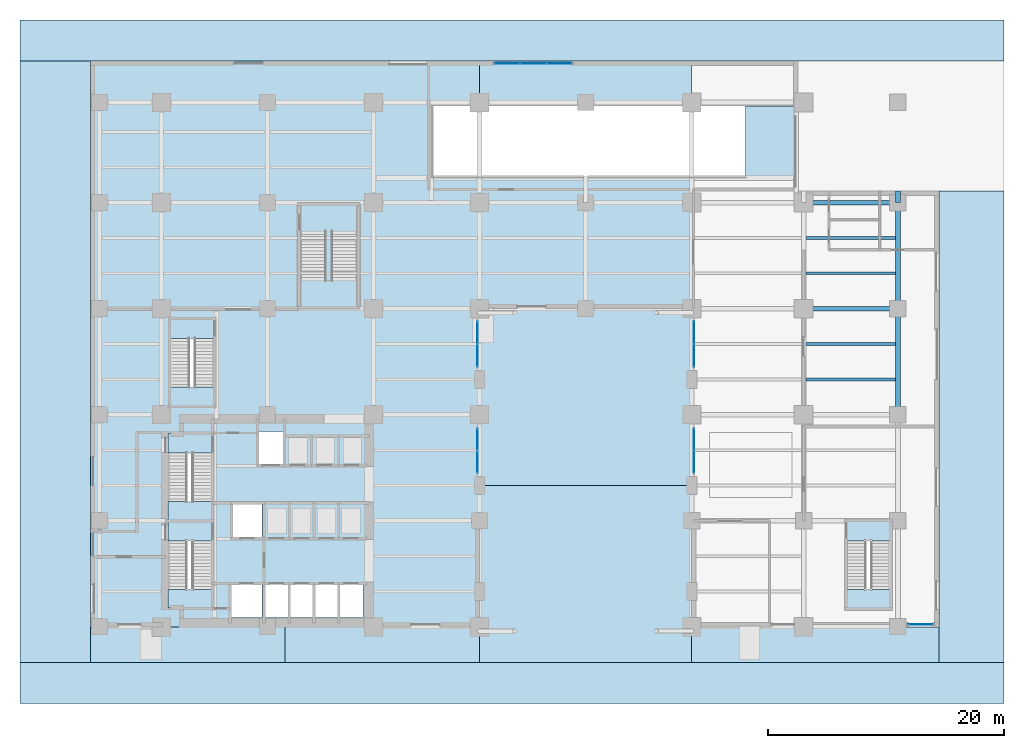
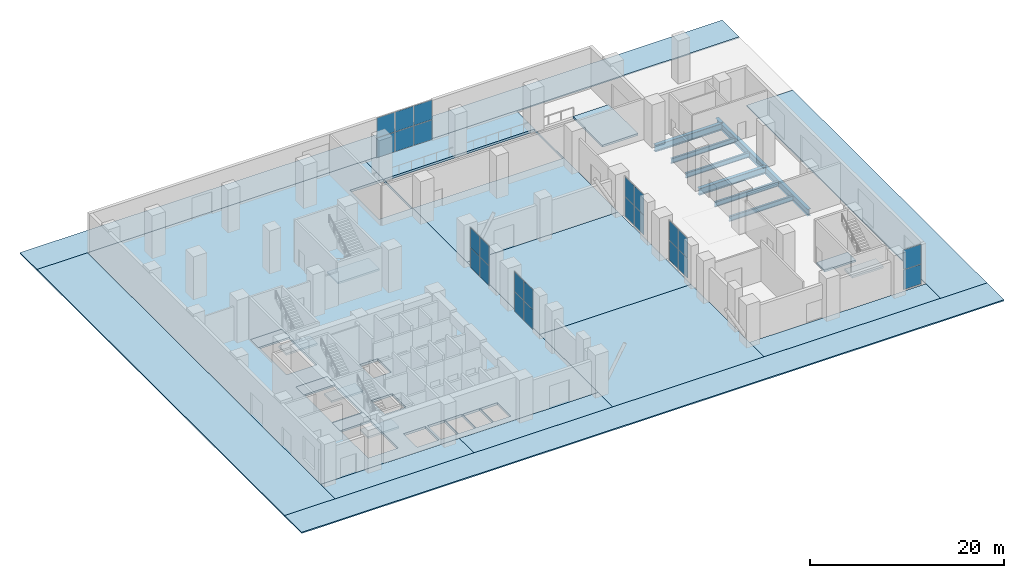
# One storey, part 9 of 17: 24 plates, 21 slabs, 9 beams, 11 elements without a shape of their own.
"""IFC4 building model written with IfcOpenShell, lengths in metres."""

from ifc_helpers import new_model, si_unit, direction, frame, origin, origin_2d, place, context, subcontext, project, spatial, polyline, rectangle, i_section, outline, extrude, material, layer, layer_set, material_profile, profile_set, type_object, element, aggregate, save


model = new_model("IFC4")

# Units and contexts
model_context = context("Model", 3, precision=1e-05, world=origin(), true_north=direction((0.0, 1.0)))
body_context = subcontext(model_context, "Body", "Model", "MODEL_VIEW")
ifc_project = project(units=[si_unit("LENGTHUNIT", "METRE"), si_unit("AREAUNIT", "SQUARE_METRE"), si_unit("VOLUMEUNIT", "CUBIC_METRE"), si_unit("PLANEANGLEUNIT", "RADIAN"), si_unit("MASSUNIT", "GRAM", prefix="KILO")], contexts=[model_context])

# Site, building, storey
site_placement = place(None, origin())
site = spatial("IfcSite", under=ifc_project, at=site_placement, CompositionType="ELEMENT")
building_placement = place(site_placement, origin())
building = spatial("IfcBuilding", under=site, at=building_placement, Name="Mawjdan Bourse Tower", CompositionType="ELEMENT")
storey_placement = place(building_placement, origin())
storey = spatial("IfcBuildingStorey", under=building, at=storey_placement, Name="L00", CompositionType="ELEMENT", Elevation=0.0)

# Beams
ifc_material_1 = material(Name="Structural Steel S355", Category="steel")
ifc_material_profile_1 = material_profile(ifc_material_1, i_section(OverallWidth=0.39892578125, OverallDepth=0.85595703125, WebThickness=0.018310546875, FlangeThickness=0.029296875, FilletRadius=0.0234375, at=origin_2d()), Name="W33X201")
ifc_profile_set_1 = profile_set([ifc_material_profile_1], Name="Structural Steel S355")
beam_type_1 = type_object("IfcBeamType", Name="GRD-W33X201", PredefinedType="BEAM", material=ifc_profile_set_1)
for number, where, z_axis, x_axis, name in (
    (1, (68.5, 21.0, -0.72802734375), (0.0, 1.0, 0.0), (-1.0, 0.0, 0.0), "L00 Podium Primary Girder 041"),
    (2, (68.5, 30.0, -0.72802734375), (0.0, 1.0, 0.0), (-1.0, 0.0, 0.0), "L00 Podium Primary Girder 042"),
):
    element("IfcBeam", number, at=place(storey_placement, frame(where, z_axis=z_axis, x_axis=x_axis)), inside=storey, type_object=beam_type_1, Name=name, PredefinedType="BEAM", context=body_context, shape_type="SweptSolid", body=[
        extrude(i_section(OverallWidth=0.39892578125, OverallDepth=0.85595703125, WebThickness=0.018310546875, FlangeThickness=0.029296875, FilletRadius=0.0234375, at=origin_2d()), origin(), (0.0, 0.0, 1.0), 9.0),
    ])
beam_placement = place(storey_placement, frame((68.5, 39.0, -0.72802734375), z_axis=(0.0, 1.0, 0.0), x_axis=(-1.0, 0.0, 0.0)))
element("IfcBeam", 3, at=beam_placement, inside=storey, type_object=beam_type_1, Name="L00 Podium Primary Girder 043", PredefinedType="BEAM", context=body_context, shape_type="SweptSolid", body=[
    extrude(i_section(OverallWidth=0.39892578125, OverallDepth=0.85595703125, WebThickness=0.018310546875, FlangeThickness=0.029296875, FilletRadius=0.0234375, at=origin_2d()), origin(), (0.0, 0.0, 1.0), 1.0),
])
for number, where, z_axis, x_axis, name in (
    (4, (60.5, 30.0, -0.72802734375), (1.0, 0.0, 0.0), (0.0, 1.0, 0.0), "L00 Podium Tie Girder 063"),
    (5, (60.5, 39.0, -0.72802734375), (1.0, 0.0, 0.0), (0.0, 1.0, 0.0), "L00 Podium Tie Girder 071"),
):
    element("IfcBeam", number, at=place(storey_placement, frame(where, z_axis=z_axis, x_axis=x_axis)), inside=storey, type_object=beam_type_1, Name=name, PredefinedType="BEAM", context=body_context, shape_type="SweptSolid", body=[
        extrude(i_section(OverallWidth=0.39892578125, OverallDepth=0.85595703125, WebThickness=0.018310546875, FlangeThickness=0.029296875, FilletRadius=0.0234375, at=origin_2d()), origin(), (0.0, 0.0, 1.0), 8.0),
    ])
ifc_material_profile_2 = material_profile(ifc_material_1, i_section(OverallWidth=0.22998046875, OverallDepth=0.616943359375, WebThickness=0.01318359375, FlangeThickness=0.022216796875, FilletRadius=0.017822265625, at=origin_2d()), Name="W24X94")
ifc_profile_set_2 = profile_set([ifc_material_profile_2], Name="Structural Steel S355")
beam_type_2 = type_object("IfcBeamType", Name="JST-W24X94", PredefinedType="JOIST", material=ifc_profile_set_2)
for number, where, z_axis, x_axis, name in (
    (6, (60.697509765625, 24.0, -0.6083984375), (1.0, 0.0, 0.0), (0.0, 1.0, 0.0), "L00 Composite Floor Joist 096"),
    (7, (60.697509765625, 27.0, -0.6083984375), (1.0, 0.0, 0.0), (0.0, 1.0, 0.0), "L00 Composite Floor Joist 100"),
    (8, (60.697509765625, 33.0, -0.6083984375), (1.0, 0.0, 0.0), (0.0, 1.0, 0.0), "L00 Composite Floor Joist 108"),
    (9, (60.697509765625, 36.0, -0.6083984375), (1.0, 0.0, 0.0), (0.0, 1.0, 0.0), "L00 Composite Floor Joist 116"),
):
    element("IfcBeam", number, at=place(storey_placement, frame(where, z_axis=z_axis, x_axis=x_axis)), inside=storey, type_object=beam_type_2, Name=name, PredefinedType="JOIST", context=body_context, shape_type="SweptSolid", body=[
        extrude(i_section(OverallWidth=0.22998046875, OverallDepth=0.616943359375, WebThickness=0.01318359375, FlangeThickness=0.022216796875, FilletRadius=0.017822265625, at=origin_2d()), origin(), (0.0, 0.0, 1.0), 7.60498046875),
    ])

# Curtain wall, plates
ifc_material_2 = material(Name="Thermally Broken Aluminium and Solar Glass", Category="aluminium")
ifc_layer_1 = layer(ifc_material_2, 0.219970703125)
ifc_layer_set_1 = layer_set([ifc_layer_1], Name="Thermally Broken Aluminium and Solar Glass")
curtain_wall_type_1 = type_object("IfcCurtainWallType", Name="CW-ARCH", PredefinedType="USERDEFINED", material=ifc_layer_set_1)
curtain_wall_1_placement = place(storey_placement, origin())
curtain_wall_1 = element("IfcCurtainWall", 10, at=curtain_wall_1_placement, inside=storey, type_object=curtain_wall_type_1, Name="L00 Giant Arch West Glazed Wall South", ObjectType="ARCHWAY GLAZED CURTAIN WALL", PredefinedType="USERDEFINED")
ifc_material_3 = material(Name="Low-SHGC Clear Laminated Glass", Category="glass")
ifc_layer_2 = layer(ifc_material_3, 0.0419921875)
ifc_layer_set_2 = layer_set([ifc_layer_2], Name="Low-SHGC Clear Laminated Glass")
plate_type_1 = type_object("IfcPlateType", Name="PNL-CW-ARCH", PredefinedType="CURTAIN_PANEL", material=ifc_layer_set_2)
plate_1_placement = place(storey_placement, frame((32.81005859375, 18.90625, 0.06005859375), z_axis=(0.0, 0.0, 1.0), x_axis=(0.0, -1.0, 0.0)))
plate_1 = element("IfcPlate", 11, at=plate_1_placement, type_object=plate_type_1, Name="CW-ARCH-L00-ARCH-W1 panel 1.1", PredefinedType="CURTAIN_PANEL", context=body_context, shape_type="SweptSolid", body=[
    extrude(rectangle(XDim=1.83740234375, YDim=0.0419921875, at=origin_2d()), origin(), (0.0, 0.0, 1.0), 2.4599609375),
])
plate_2_placement = place(storey_placement, frame((32.81005859375, 18.90625, 2.580078125), z_axis=(0.0, 0.0, 1.0), x_axis=(0.0, -1.0, 0.0)))
plate_2 = element("IfcPlate", 12, at=plate_2_placement, type_object=plate_type_1, Name="CW-ARCH-L00-ARCH-W1 panel 1.2", PredefinedType="CURTAIN_PANEL", context=body_context, shape_type="SweptSolid", body=[
    extrude(rectangle(XDim=1.83740234375, YDim=0.0419921875, at=origin_2d()), origin(), (0.0, 0.0, 1.0), 2.4599609375),
])
plate_3_placement = place(storey_placement, frame((32.81005859375, 16.99365234375, 0.06005859375), z_axis=(0.0, 0.0, 1.0), x_axis=(0.0, -1.0, 0.0)))
plate_3 = element("IfcPlate", 13, at=plate_3_placement, type_object=plate_type_1, Name="CW-ARCH-L00-ARCH-W1 panel 2.1", PredefinedType="CURTAIN_PANEL", context=body_context, shape_type="SweptSolid", body=[
    extrude(rectangle(XDim=1.83740234375, YDim=0.0419921875, at=origin_2d()), origin(), (0.0, 0.0, 1.0), 2.4599609375),
])
plate_4_placement = place(storey_placement, frame((32.81005859375, 16.99365234375, 2.580078125), z_axis=(0.0, 0.0, 1.0), x_axis=(0.0, -1.0, 0.0)))
plate_4 = element("IfcPlate", 14, at=plate_4_placement, type_object=plate_type_1, Name="CW-ARCH-L00-ARCH-W1 panel 2.2", PredefinedType="CURTAIN_PANEL", context=body_context, shape_type="SweptSolid", body=[
    extrude(rectangle(XDim=1.83740234375, YDim=0.0419921875, at=origin_2d()), origin(), (0.0, 0.0, 1.0), 2.4599609375),
])
aggregate(curtain_wall_1, [plate_1, plate_2, plate_3, plate_4])

curtain_wall_2_placement = place(storey_placement, origin())
curtain_wall_2 = element("IfcCurtainWall", 15, at=curtain_wall_2_placement, inside=storey, type_object=curtain_wall_type_1, Name="L00 Giant Arch West Glazed Wall North", ObjectType="ARCHWAY GLAZED CURTAIN WALL", PredefinedType="USERDEFINED")
plate_5_placement = place(storey_placement, frame((32.81005859375, 27.981201171875, 0.06005859375), z_axis=(0.0, 0.0, 1.0), x_axis=(0.0, -1.0, 0.0)))
plate_5 = element("IfcPlate", 16, at=plate_5_placement, type_object=plate_type_1, Name="CW-ARCH-L00-ARCH-W2 panel 1.1", PredefinedType="CURTAIN_PANEL", context=body_context, shape_type="SweptSolid", body=[
    extrude(rectangle(XDim=1.887451171875, YDim=0.0419921875, at=origin_2d()), origin(), (0.0, 0.0, 1.0), 2.4599609375),
])
plate_6_placement = place(storey_placement, frame((32.81005859375, 27.981201171875, 2.580078125), z_axis=(0.0, 0.0, 1.0), x_axis=(0.0, -1.0, 0.0)))
plate_6 = element("IfcPlate", 17, at=plate_6_placement, type_object=plate_type_1, Name="CW-ARCH-L00-ARCH-W2 panel 1.2", PredefinedType="CURTAIN_PANEL", context=body_context, shape_type="SweptSolid", body=[
    extrude(rectangle(XDim=1.887451171875, YDim=0.0419921875, at=origin_2d()), origin(), (0.0, 0.0, 1.0), 2.4599609375),
])
plate_7_placement = place(storey_placement, frame((32.81005859375, 26.018798828125, 0.06005859375), z_axis=(0.0, 0.0, 1.0), x_axis=(0.0, -1.0, 0.0)))
plate_7 = element("IfcPlate", 18, at=plate_7_placement, type_object=plate_type_1, Name="CW-ARCH-L00-ARCH-W2 panel 2.1", PredefinedType="CURTAIN_PANEL", context=body_context, shape_type="SweptSolid", body=[
    extrude(rectangle(XDim=1.887451171875, YDim=0.0419921875, at=origin_2d()), origin(), (0.0, 0.0, 1.0), 2.4599609375),
])
plate_8_placement = place(storey_placement, frame((32.81005859375, 26.018798828125, 2.580078125), z_axis=(0.0, 0.0, 1.0), x_axis=(0.0, -1.0, 0.0)))
plate_8 = element("IfcPlate", 19, at=plate_8_placement, type_object=plate_type_1, Name="CW-ARCH-L00-ARCH-W2 panel 2.2", PredefinedType="CURTAIN_PANEL", context=body_context, shape_type="SweptSolid", body=[
    extrude(rectangle(XDim=1.887451171875, YDim=0.0419921875, at=origin_2d()), origin(), (0.0, 0.0, 1.0), 2.4599609375),
])
aggregate(curtain_wall_2, [plate_5, plate_6, plate_7, plate_8])

curtain_wall_3_placement = place(storey_placement, origin())
curtain_wall_3 = element("IfcCurtainWall", 20, at=curtain_wall_3_placement, inside=storey, type_object=curtain_wall_type_1, Name="L00 Giant Arch East Glazed Wall South", ObjectType="ARCHWAY GLAZED CURTAIN WALL", PredefinedType="USERDEFINED")
plate_9_placement = place(storey_placement, frame((51.18994140625, 16.99365234375, 0.06005859375), z_axis=(0.0, 0.0, 1.0), x_axis=(0.0, 1.0, 0.0)))
plate_9 = element("IfcPlate", 21, at=plate_9_placement, type_object=plate_type_1, Name="CW-ARCH-L00-ARCH-E1 panel 1.1", PredefinedType="CURTAIN_PANEL", context=body_context, shape_type="SweptSolid", body=[
    extrude(rectangle(XDim=1.83740234375, YDim=0.0419921875, at=origin_2d()), origin(), (0.0, 0.0, 1.0), 2.4599609375),
])
plate_10_placement = place(storey_placement, frame((51.18994140625, 16.99365234375, 2.580078125), z_axis=(0.0, 0.0, 1.0), x_axis=(0.0, 1.0, 0.0)))
plate_10 = element("IfcPlate", 22, at=plate_10_placement, type_object=plate_type_1, Name="CW-ARCH-L00-ARCH-E1 panel 1.2", PredefinedType="CURTAIN_PANEL", context=body_context, shape_type="SweptSolid", body=[
    extrude(rectangle(XDim=1.83740234375, YDim=0.0419921875, at=origin_2d()), origin(), (0.0, 0.0, 1.0), 2.4599609375),
])
plate_11_placement = place(storey_placement, frame((51.18994140625, 18.90625, 0.06005859375), z_axis=(0.0, 0.0, 1.0), x_axis=(0.0, 1.0, 0.0)))
plate_11 = element("IfcPlate", 23, at=plate_11_placement, type_object=plate_type_1, Name="CW-ARCH-L00-ARCH-E1 panel 2.1", PredefinedType="CURTAIN_PANEL", context=body_context, shape_type="SweptSolid", body=[
    extrude(rectangle(XDim=1.83740234375, YDim=0.0419921875, at=origin_2d()), origin(), (0.0, 0.0, 1.0), 2.4599609375),
])
plate_12_placement = place(storey_placement, frame((51.18994140625, 18.90625, 2.580078125), z_axis=(0.0, 0.0, 1.0), x_axis=(0.0, 1.0, 0.0)))
plate_12 = element("IfcPlate", 24, at=plate_12_placement, type_object=plate_type_1, Name="CW-ARCH-L00-ARCH-E1 panel 2.2", PredefinedType="CURTAIN_PANEL", context=body_context, shape_type="SweptSolid", body=[
    extrude(rectangle(XDim=1.83740234375, YDim=0.0419921875, at=origin_2d()), origin(), (0.0, 0.0, 1.0), 2.4599609375),
])
aggregate(curtain_wall_3, [plate_9, plate_10, plate_11, plate_12])

curtain_wall_4_placement = place(storey_placement, origin())
curtain_wall_4 = element("IfcCurtainWall", 25, at=curtain_wall_4_placement, inside=storey, type_object=curtain_wall_type_1, Name="L00 Giant Arch East Glazed Wall North", ObjectType="ARCHWAY GLAZED CURTAIN WALL", PredefinedType="USERDEFINED")
plate_13_placement = place(storey_placement, frame((51.18994140625, 26.018798828125, 0.06005859375), z_axis=(0.0, 0.0, 1.0), x_axis=(0.0, 1.0, 0.0)))
plate_13 = element("IfcPlate", 26, at=plate_13_placement, type_object=plate_type_1, Name="CW-ARCH-L00-ARCH-E2 panel 1.1", PredefinedType="CURTAIN_PANEL", context=body_context, shape_type="SweptSolid", body=[
    extrude(rectangle(XDim=1.887451171875, YDim=0.0419921875, at=origin_2d()), origin(), (0.0, 0.0, 1.0), 2.4599609375),
])
plate_14_placement = place(storey_placement, frame((51.18994140625, 26.018798828125, 2.580078125), z_axis=(0.0, 0.0, 1.0), x_axis=(0.0, 1.0, 0.0)))
plate_14 = element("IfcPlate", 27, at=plate_14_placement, type_object=plate_type_1, Name="CW-ARCH-L00-ARCH-E2 panel 1.2", PredefinedType="CURTAIN_PANEL", context=body_context, shape_type="SweptSolid", body=[
    extrude(rectangle(XDim=1.887451171875, YDim=0.0419921875, at=origin_2d()), origin(), (0.0, 0.0, 1.0), 2.4599609375),
])
plate_15_placement = place(storey_placement, frame((51.18994140625, 27.981201171875, 0.06005859375), z_axis=(0.0, 0.0, 1.0), x_axis=(0.0, 1.0, 0.0)))
plate_15 = element("IfcPlate", 28, at=plate_15_placement, type_object=plate_type_1, Name="CW-ARCH-L00-ARCH-E2 panel 2.1", PredefinedType="CURTAIN_PANEL", context=body_context, shape_type="SweptSolid", body=[
    extrude(rectangle(XDim=1.887451171875, YDim=0.0419921875, at=origin_2d()), origin(), (0.0, 0.0, 1.0), 2.4599609375),
])
plate_16_placement = place(storey_placement, frame((51.18994140625, 27.981201171875, 2.580078125), z_axis=(0.0, 0.0, 1.0), x_axis=(0.0, 1.0, 0.0)))
plate_16 = element("IfcPlate", 29, at=plate_16_placement, type_object=plate_type_1, Name="CW-ARCH-L00-ARCH-E2 panel 2.2", PredefinedType="CURTAIN_PANEL", context=body_context, shape_type="SweptSolid", body=[
    extrude(rectangle(XDim=1.887451171875, YDim=0.0419921875, at=origin_2d()), origin(), (0.0, 0.0, 1.0), 2.4599609375),
])
aggregate(curtain_wall_4, [plate_13, plate_14, plate_15, plate_16])

ifc_layer_3 = layer(ifc_material_2, 0.219970703125)
ifc_layer_set_3 = layer_set([ifc_layer_3], Name="Thermally Broken Aluminium and Solar Glass")
curtain_wall_type_2 = type_object("IfcCurtainWallType", Name="CW-ENT", PredefinedType="USERDEFINED", material=ifc_layer_set_3)
curtain_wall_5_placement = place(storey_placement, origin())
curtain_wall_5 = element("IfcCurtainWall", 30, at=curtain_wall_5_placement, inside=storey, type_object=curtain_wall_type_2, Name="L00 South-East Clearing Foyer Curtain Wall", ObjectType="FOYER ENTRANCE CURTAIN WALL", PredefinedType="USERDEFINED")
ifc_layer_4 = layer(ifc_material_3, 0.0380859375)
ifc_layer_set_4 = layer_set([ifc_layer_4], Name="Low-SHGC Clear Laminated Glass")
plate_type_2 = type_object("IfcPlateType", Name="PNL-CW-ENT", PredefinedType="CURTAIN_PANEL", material=ifc_layer_set_4)
plate_17_placement = place(storey_placement, frame((70.425048828125, 3.18994140625, 0.06005859375), z_axis=(0.0, 0.0, 1.0), x_axis=(1.0, 0.0, 0.0)))
plate_17 = element("IfcPlate", 31, at=plate_17_placement, type_object=plate_type_2, Name="CW-ENT-L00-ENT-SE panel 1.1", PredefinedType="CURTAIN_PANEL", context=body_context, shape_type="SweptSolid", body=[
    extrude(rectangle(XDim=2.10009765625, YDim=0.0380859375, at=origin_2d()), origin(), (0.0, 0.0, 1.0), 2.4599609375),
])
plate_18_placement = place(storey_placement, frame((70.425048828125, 3.18994140625, 2.580078125), z_axis=(0.0, 0.0, 1.0), x_axis=(1.0, 0.0, 0.0)))
plate_18 = element("IfcPlate", 32, at=plate_18_placement, type_object=plate_type_2, Name="CW-ENT-L00-ENT-SE panel 1.2", PredefinedType="CURTAIN_PANEL", context=body_context, shape_type="SweptSolid", body=[
    extrude(rectangle(XDim=2.10009765625, YDim=0.0380859375, at=origin_2d()), origin(), (0.0, 0.0, 1.0), 2.4599609375),
])
aggregate(curtain_wall_5, [plate_17, plate_18])

curtain_wall_6_placement = place(storey_placement, origin())
curtain_wall_6 = element("IfcCurtainWall", 33, at=curtain_wall_6_placement, inside=storey, type_object=curtain_wall_type_2, Name="L00 North Boulevard Foyer Curtain Wall", ObjectType="FOYER ENTRANCE CURTAIN WALL", PredefinedType="USERDEFINED")
plate_19_placement = place(storey_placement, frame((35.33544921875, 50.81005859375, 0.06005859375), z_axis=(0.0, 0.0, 1.0), x_axis=(1.0, 0.0, 0.0)))
plate_19 = element("IfcPlate", 34, at=plate_19_placement, type_object=plate_type_2, Name="CW-ENT-L00-ENT-NB panel 1.1", PredefinedType="CURTAIN_PANEL", context=body_context, shape_type="SweptSolid", body=[
    extrude(rectangle(XDim=2.120849609375, YDim=0.0380859375, at=origin_2d()), origin(), (0.0, 0.0, 1.0), 2.4599609375),
])
plate_20_placement = place(storey_placement, frame((35.33544921875, 50.81005859375, 2.580078125), z_axis=(0.0, 0.0, 1.0), x_axis=(1.0, 0.0, 0.0)))
plate_20 = element("IfcPlate", 35, at=plate_20_placement, type_object=plate_type_2, Name="CW-ENT-L00-ENT-NB panel 1.2", PredefinedType="CURTAIN_PANEL", context=body_context, shape_type="SweptSolid", body=[
    extrude(rectangle(XDim=2.120849609375, YDim=0.0380859375, at=origin_2d()), origin(), (0.0, 0.0, 1.0), 2.4599609375),
])
plate_21_placement = place(storey_placement, frame((37.550048828125, 50.81005859375, 0.06005859375), z_axis=(0.0, 0.0, 1.0), x_axis=(1.0, 0.0, 0.0)))
plate_21 = element("IfcPlate", 36, at=plate_21_placement, type_object=plate_type_2, Name="CW-ENT-L00-ENT-NB panel 2.1", PredefinedType="CURTAIN_PANEL", context=body_context, shape_type="SweptSolid", body=[
    extrude(rectangle(XDim=2.158447265625, YDim=0.0380859375, at=origin_2d()), origin(), (0.0, 0.0, 1.0), 2.4599609375),
])
plate_22_placement = place(storey_placement, frame((37.550048828125, 50.81005859375, 2.580078125), z_axis=(0.0, 0.0, 1.0), x_axis=(1.0, 0.0, 0.0)))
plate_22 = element("IfcPlate", 37, at=plate_22_placement, type_object=plate_type_2, Name="CW-ENT-L00-ENT-NB panel 2.2", PredefinedType="CURTAIN_PANEL", context=body_context, shape_type="SweptSolid", body=[
    extrude(rectangle(XDim=2.158447265625, YDim=0.0380859375, at=origin_2d()), origin(), (0.0, 0.0, 1.0), 2.4599609375),
])
plate_23_placement = place(storey_placement, frame((39.7646484375, 50.81005859375, 0.06005859375), z_axis=(0.0, 0.0, 1.0), x_axis=(1.0, 0.0, 0.0)))
plate_23 = element("IfcPlate", 38, at=plate_23_placement, type_object=plate_type_2, Name="CW-ENT-L00-ENT-NB panel 3.1", PredefinedType="CURTAIN_PANEL", context=body_context, shape_type="SweptSolid", body=[
    extrude(rectangle(XDim=2.120849609375, YDim=0.0380859375, at=origin_2d()), origin(), (0.0, 0.0, 1.0), 2.4599609375),
])
plate_24_placement = place(storey_placement, frame((39.7646484375, 50.81005859375, 2.580078125), z_axis=(0.0, 0.0, 1.0), x_axis=(1.0, 0.0, 0.0)))
plate_24 = element("IfcPlate", 39, at=plate_24_placement, type_object=plate_type_2, Name="CW-ENT-L00-ENT-NB panel 3.2", PredefinedType="CURTAIN_PANEL", context=body_context, shape_type="SweptSolid", body=[
    extrude(rectangle(XDim=2.120849609375, YDim=0.0380859375, at=origin_2d()), origin(), (0.0, 0.0, 1.0), 2.4599609375),
])
aggregate(curtain_wall_6, [plate_19, plate_20, plate_21, plate_22, plate_23, plate_24])

# Stair, slabs
ifc_material_4 = material(Name="Concrete C50/60", Category="concrete")
stair_type_1 = type_object("IfcStairType", Name="STR-CORE-1500", PredefinedType="HALF_TURN_STAIR", material=ifc_material_4)
stair_1_placement = place(storey_placement, origin())
stair_1 = element("IfcStair", 40, at=stair_1_placement, inside=storey, type_object=stair_type_1, Name="L00 Exit Stair 1 (Core South-West)", PredefinedType="HALF_TURN_STAIR")
ifc_layer_5 = layer(ifc_material_4, 0.22998046875)
ifc_layer_set_5 = layer_set([ifc_layer_5], Name="Concrete C50/60")
slab_type_1 = type_object("IfcSlabType", Name="SL-LND-230", PredefinedType="LANDING", material=ifc_layer_set_5)
slab_1_placement = place(storey_placement, frame((0.0, 0.0, -0.22998046875)))
slab_1 = element("IfcSlab", 41, at=slab_1_placement, type_object=slab_type_1, Name="ST1-L00 landing 1", PredefinedType="LANDING", context=body_context, shape_type="SweptSolid", body=[
    extrude(outline(polyline([(6.5400390625, 10.31005859375), (10.260009765625, 10.31005859375), (10.260009765625, 11.969970703125), (6.5400390625, 11.969970703125), (6.5400390625, 10.31005859375)])), origin(), (0.0, 0.0, 1.0), 0.22998046875),
])
slab_2_placement = place(storey_placement, frame((0.0, 0.0, 2.469970703125)))
slab_2 = element("IfcSlab", 42, at=slab_2_placement, type_object=slab_type_1, Name="ST1-L00 landing 2", PredefinedType="LANDING", context=body_context, shape_type="SweptSolid", body=[
    extrude(outline(polyline([(6.5400390625, 4.590087890625), (10.260009765625, 4.590087890625), (10.260009765625, 6.18994140625), (6.5400390625, 6.18994140625), (6.5400390625, 4.590087890625)])), origin(), (0.0, 0.0, 1.0), 0.22998046875),
])
aggregate(stair_1, [slab_1, slab_2])

stair_2_placement = place(storey_placement, origin())
stair_2 = element("IfcStair", 43, at=stair_2_placement, inside=storey, type_object=stair_type_1, Name="L00 Exit Stair 2 (Core North-West)", PredefinedType="HALF_TURN_STAIR")
slab_3_placement = place(storey_placement, frame((0.0, 0.0, -0.22998046875)))
slab_3 = element("IfcSlab", 44, at=slab_3_placement, type_object=slab_type_1, Name="ST2-L00 landing 1", PredefinedType="LANDING", context=body_context, shape_type="SweptSolid", body=[
    extrude(outline(polyline([(6.5400390625, 17.75), (10.260009765625, 17.75), (10.260009765625, 19.409912109375), (6.5400390625, 19.409912109375), (6.5400390625, 17.75)])), origin(), (0.0, 0.0, 1.0), 0.22998046875),
])
slab_4_placement = place(storey_placement, frame((0.0, 0.0, 2.469970703125)))
slab_4 = element("IfcSlab", 45, at=slab_4_placement, type_object=slab_type_1, Name="ST2-L00 landing 2", PredefinedType="LANDING", context=body_context, shape_type="SweptSolid", body=[
    extrude(outline(polyline([(6.5400390625, 12.030029296875), (10.260009765625, 12.030029296875), (10.260009765625, 13.6298828125), (6.5400390625, 13.6298828125), (6.5400390625, 12.030029296875)])), origin(), (0.0, 0.0, 1.0), 0.22998046875),
])
aggregate(stair_2, [slab_3, slab_4])

stair_3_placement = place(storey_placement, origin())
stair_3 = element("IfcStair", 46, at=stair_3_placement, inside=storey, type_object=stair_type_1, Name="L00 Exit Stair 3 (North Wing)", PredefinedType="HALF_TURN_STAIR")
slab_5_placement = place(storey_placement, frame((0.0, 0.0, -0.22998046875)))
slab_5 = element("IfcSlab", 47, at=slab_5_placement, type_object=slab_type_1, Name="ST3-L00 landing 1", PredefinedType="LANDING", context=body_context, shape_type="SweptSolid", body=[
    extrude(outline(polyline([(6.739990234375, 27.4599609375), (10.4599609375, 27.4599609375), (10.4599609375, 29.1201171875), (6.739990234375, 29.1201171875), (6.739990234375, 27.4599609375)])), origin(), (0.0, 0.0, 1.0), 0.22998046875),
])
slab_6_placement = place(storey_placement, frame((0.0, 0.0, 2.469970703125)))
slab_6 = element("IfcSlab", 48, at=slab_6_placement, type_object=slab_type_1, Name="ST3-L00 landing 2", PredefinedType="LANDING", context=body_context, shape_type="SweptSolid", body=[
    extrude(outline(polyline([(6.739990234375, 21.739990234375), (10.4599609375, 21.739990234375), (10.4599609375, 23.340087890625), (6.739990234375, 23.340087890625), (6.739990234375, 21.739990234375)])), origin(), (0.0, 0.0, 1.0), 0.22998046875),
])
aggregate(stair_3, [slab_5, slab_6])

# Stair, slab
ifc_material_5 = material(Name="Concrete C50/60 precast", Category="concrete")
stair_type_2 = type_object("IfcStairType", Name="STR-CER-1800", PredefinedType="TWO_STRAIGHT_RUN_STAIR", material=ifc_material_5)
stair_4_placement = place(storey_placement, origin())
stair_4 = element("IfcStair", 49, at=stair_4_placement, inside=storey, type_object=stair_type_2, Name="L00 Exchange Hall Ceremonial Stair", PredefinedType="TWO_STRAIGHT_RUN_STAIR")
slab_7_placement = place(storey_placement, frame((0.0, 0.0, 2.469970703125)))
slab_7 = element("IfcSlab", 50, at=slab_7_placement, type_object=slab_type_1, Name="ST4-L00 landing 1", PredefinedType="LANDING", context=body_context, shape_type="SweptSolid", body=[
    extrude(outline(polyline([(17.739990234375, 30.139892578125), (22.659912109375, 30.139892578125), (22.659912109375, 32.39990234375), (17.739990234375, 32.39990234375), (17.739990234375, 30.139892578125)])), origin(), (0.0, 0.0, 1.0), 0.22998046875),
])
aggregate(stair_4, [slab_7])

# Stair, slabs
stair_5_placement = place(storey_placement, origin())
stair_5 = element("IfcStair", 51, at=stair_5_placement, inside=storey, type_object=stair_type_1, Name="L00 Exit Stair 6 (East Podium Pier)", PredefinedType="HALF_TURN_STAIR")
slab_8_placement = place(storey_placement, frame((0.0, 0.0, -0.22998046875)))
slab_8 = element("IfcSlab", 52, at=slab_8_placement, type_object=slab_type_1, Name="ST6-L00 landing 1", PredefinedType="LANDING", context=body_context, shape_type="SweptSolid", body=[
    extrude(outline(polyline([(64.139892578125, 10.31005859375), (67.860107421875, 10.31005859375), (67.860107421875, 11.969970703125), (64.139892578125, 11.969970703125), (64.139892578125, 10.31005859375)])), origin(), (0.0, 0.0, 1.0), 0.22998046875),
])
slab_9_placement = place(storey_placement, frame((0.0, 0.0, 2.469970703125)))
slab_9 = element("IfcSlab", 53, at=slab_9_placement, type_object=slab_type_1, Name="ST6-L00 landing 2", PredefinedType="LANDING", context=body_context, shape_type="SweptSolid", body=[
    extrude(outline(polyline([(64.139892578125, 4.590087890625), (67.860107421875, 4.590087890625), (67.860107421875, 6.18994140625), (64.139892578125, 6.18994140625), (64.139892578125, 4.590087890625)])), origin(), (0.0, 0.0, 1.0), 0.22998046875),
])
aggregate(stair_5, [slab_8, slab_9])

# Slabs
slab_10_placement = place(storey_placement, frame((0.0, 0.0, -0.25)))
element("IfcSlab", 54, at=slab_10_placement, inside=storey, type_object=slab_type_1, Name="L00 Vehicle Ramp Arrival Apron", PredefinedType="LANDING", context=body_context, shape_type="SweptSolid", body=[
    extrude(outline(polyline([(55.550048828125, 41.199951171875), (59.800048828125, 41.199951171875), (59.800048828125, 47.199951171875), (55.550048828125, 47.199951171875), (55.550048828125, 41.199951171875)])), origin(), (0.0, 0.0, 1.0), 0.25),
])
ifc_material_6 = material(Name="Granite Stone Paving", Category="masonry")
ifc_layer_6 = layer(ifc_material_6, 0.14990234375)
ifc_layer_set_6 = layer_set([ifc_layer_6], Name="Granite Stone Paving")
slab_type_2 = type_object("IfcSlabType", Name="SL-PAV-150", PredefinedType="USERDEFINED", material=ifc_layer_set_6)
slab_11_placement = place(storey_placement, frame((0.0, 0.0, -0.14990234375)))
element("IfcSlab", 55, at=slab_11_placement, inside=storey, type_object=slab_type_2, Name="Public Archway South Concourse Paving", ObjectType="PAVING", PredefinedType="USERDEFINED", context=body_context, shape_type="SweptSolid", body=[
    extrude(outline(polyline([(33.0, 0.0), (51.0, 0.0), (51.0, 15.0), (33.0, 15.0), (33.0, 0.0)])), origin(), (0.0, 0.0, 1.0), 0.14990234375),
])
slab_12_placement = place(storey_placement, frame((0.0, 0.0, -0.14990234375)))
element("IfcSlab", 56, at=slab_12_placement, inside=storey, type_object=slab_type_2, Name="Public Archway North Concourse Paving", ObjectType="PAVING", PredefinedType="USERDEFINED", context=body_context, shape_type="SweptSolid", body=[
    extrude(outline(polyline([(33.0, 15.0), (51.0, 15.0), (51.0, 30.0), (33.0, 30.0), (33.0, 15.0)])), origin(), (0.0, 0.0, 1.0), 0.14990234375),
])
slab_13_placement = place(storey_placement, frame((0.0, 0.0, -0.14990234375)))
element("IfcSlab", 57, at=slab_13_placement, inside=storey, type_object=slab_type_2, Name="South-West Boulevard Colonnade Paving", ObjectType="PAVING", PredefinedType="USERDEFINED", context=body_context, shape_type="SweptSolid", body=[
    extrude(outline(polyline([(0.0, 0.0), (16.5, 0.0), (16.5, 3.0), (0.0, 3.0), (0.0, 0.0)])), origin(), (0.0, 0.0, 1.0), 0.14990234375),
])
slab_14_placement = place(storey_placement, frame((0.0, 0.0, -0.14990234375)))
element("IfcSlab", 58, at=slab_14_placement, inside=storey, type_object=slab_type_2, Name="Bourse Main Entrance Forecourt Paving", ObjectType="PAVING", PredefinedType="USERDEFINED", context=body_context, shape_type="SweptSolid", body=[
    extrude(outline(polyline([(16.5, 0.0), (33.0, 0.0), (33.0, 3.0), (16.5, 3.0), (16.5, 0.0)])), origin(), (0.0, 0.0, 1.0), 0.14990234375),
])
slab_15_placement = place(storey_placement, frame((0.0, 0.0, -0.14990234375)))
element("IfcSlab", 59, at=slab_15_placement, inside=storey, type_object=slab_type_2, Name="South-East Clearing Forecourt Paving", ObjectType="PAVING", PredefinedType="USERDEFINED", context=body_context, shape_type="SweptSolid", body=[
    extrude(outline(polyline([(51.0, 0.0), (72.0, 0.0), (72.0, 3.0), (51.0, 3.0), (51.0, 0.0)])), origin(), (0.0, 0.0, 1.0), 0.14990234375),
])
slab_16_placement = place(storey_placement, frame((0.0, 0.0, -0.14990234375)))
element("IfcSlab", 60, at=slab_16_placement, inside=storey, type_object=slab_type_2, Name="West Ceremonial Drop-Off Forecourt Paving", ObjectType="PAVING", PredefinedType="USERDEFINED", context=body_context, shape_type="SweptSolid", body=[
    extrude(outline(polyline([(-6.0, 0.0), (0.0, 0.0), (0.0, 51.0), (-6.0, 51.0), (-6.0, 0.0)])), origin(), (0.0, 0.0, 1.0), 0.14990234375),
])
slab_17_placement = place(storey_placement, frame((0.0, 0.0, -0.14990234375)))
element("IfcSlab", 61, at=slab_17_placement, inside=storey, type_object=slab_type_2, Name="East Boulevard Colonnade Plaza Paving", ObjectType="PAVING", PredefinedType="USERDEFINED", context=body_context, shape_type="SweptSolid", body=[
    extrude(outline(polyline([(72.0, 0.0), (77.5, 0.0), (77.5, 40.0), (72.0, 40.0), (72.0, 0.0)])), origin(), (0.0, 0.0, 1.0), 0.14990234375),
])
slab_18_placement = place(storey_placement, frame((0.0, 0.0, -0.14990234375)))
element("IfcSlab", 62, at=slab_18_placement, inside=storey, type_object=slab_type_2, Name="South Lusail Boulevard Promenade Paving", ObjectType="PAVING", PredefinedType="USERDEFINED", context=body_context, shape_type="SweptSolid", body=[
    extrude(outline(polyline([(-6.0, -3.5), (77.5, -3.5), (77.5, 0.0), (-6.0, 0.0), (-6.0, -3.5)])), origin(), (0.0, 0.0, 1.0), 0.14990234375),
])
slab_19_placement = place(storey_placement, frame((0.0, 0.0, -0.14990234375)))
element("IfcSlab", 63, at=slab_19_placement, inside=storey, type_object=slab_type_2, Name="North Marina Promenade Forecourt Paving", ObjectType="PAVING", PredefinedType="USERDEFINED", context=body_context, shape_type="SweptSolid", body=[
    extrude(outline(polyline([(-6.0, 51.0), (77.5, 51.0), (77.5, 54.5), (-6.0, 54.5), (-6.0, 51.0)])), origin(), (0.0, 0.0, 1.0), 0.14990234375),
])
ifc_layer_7 = layer(ifc_material_4, 0.300048828125)
ifc_layer_set_7 = layer_set([ifc_layer_7], Name="Concrete C50/60")
slab_type_3 = type_object("IfcSlabType", Name="SL-POD-300", PredefinedType="FLOOR", material=ifc_layer_set_7)
slab_20_placement = place(storey_placement, frame((0.0, 0.0, -0.300048828125)))
element("IfcSlab", 64, at=slab_20_placement, inside=storey, type_object=slab_type_3, Name="L00 Structural Floor Slab 1", PredefinedType="FLOOR", context=body_context, shape_type="SweptSolid", body=[
    extrude(outline(polyline([(0.0, 3.0), (33.0, 3.0), (33.0, 51.0), (0.0, 51.0), (0.0, 3.0)]), holes=[polyline([(14.550048828125, 3.800048828125), (11.949951171875, 3.800048828125), (11.949951171875, 6.60009765625), (14.550048828125, 6.60009765625), (14.550048828125, 3.800048828125)]), polyline([(10.260009765625, 11.969970703125), (10.260009765625, 10.31005859375), (10.199951171875, 10.31005859375), (10.199951171875, 4.64990234375), (6.60009765625, 4.64990234375), (6.60009765625, 10.31005859375), (6.5400390625, 10.31005859375), (6.5400390625, 11.969970703125), (10.260009765625, 11.969970703125)]), polyline([(10.260009765625, 19.409912109375), (10.260009765625, 17.75), (10.199951171875, 17.75), (10.199951171875, 12.090087890625), (6.60009765625, 12.090087890625), (6.60009765625, 17.75), (6.5400390625, 17.75), (6.5400390625, 19.409912109375), (10.260009765625, 19.409912109375)]), polyline([(10.4599609375, 29.1201171875), (10.4599609375, 27.4599609375), (10.39990234375, 27.4599609375), (10.39990234375, 21.800048828125), (6.800048828125, 21.800048828125), (6.800048828125, 27.4599609375), (6.739990234375, 27.4599609375), (6.739990234375, 29.1201171875), (10.4599609375, 29.1201171875)]), polyline([(16.800048828125, 3.800048828125), (14.800048828125, 3.800048828125), (14.800048828125, 6.60009765625), (16.800048828125, 6.60009765625), (16.800048828125, 3.800048828125)]), polyline([(16.89990234375, 3.800048828125), (16.89990234375, 6.60009765625), (18.89990234375, 6.60009765625), (18.89990234375, 3.800048828125), (16.89990234375, 3.800048828125)]), polyline([(19.0, 3.800048828125), (19.0, 6.60009765625), (21.0, 6.60009765625), (21.0, 3.800048828125), (19.0, 3.800048828125)]), polyline([(21.10009765625, 3.800048828125), (21.10009765625, 6.60009765625), (23.10009765625, 6.60009765625), (23.10009765625, 3.800048828125), (21.10009765625, 3.800048828125)]), polyline([(12.050048828125, 10.60009765625), (12.050048828125, 13.39990234375), (14.550048828125, 13.39990234375), (14.550048828125, 10.60009765625), (12.050048828125, 10.60009765625)]), polyline([(14.199951171875, 16.800048828125), (14.199951171875, 19.60009765625), (16.39990234375, 19.60009765625), (16.39990234375, 16.800048828125), (14.199951171875, 16.800048828125)]), polyline([(29.0, 41.199951171875), (29.0, 47.199951171875), (32.97998046875, 47.199951171875), (32.97998046875, 41.199951171875), (29.0, 41.199951171875)])]), origin(), (0.0, 0.0, 1.0), 0.300048828125),
])
slab_21_placement = place(storey_placement, frame((0.0, 0.0, -0.300048828125)))
element("IfcSlab", 65, at=slab_21_placement, inside=storey, type_object=slab_type_3, Name="L00 Structural Floor Slab 3", PredefinedType="FLOOR", context=body_context, shape_type="SweptSolid", body=[
    extrude(outline(polyline([(33.0, 30.0), (51.0, 30.0), (51.0, 51.0), (33.0, 51.0), (33.0, 30.0)]), holes=[polyline([(50.97998046875, 47.199951171875), (50.97998046875, 41.199951171875), (33.02001953125, 41.199951171875), (33.02001953125, 47.199951171875), (50.97998046875, 47.199951171875)])]), origin(), (0.0, 0.0, 1.0), 0.300048828125),
])

save(model, "model.ifc")
